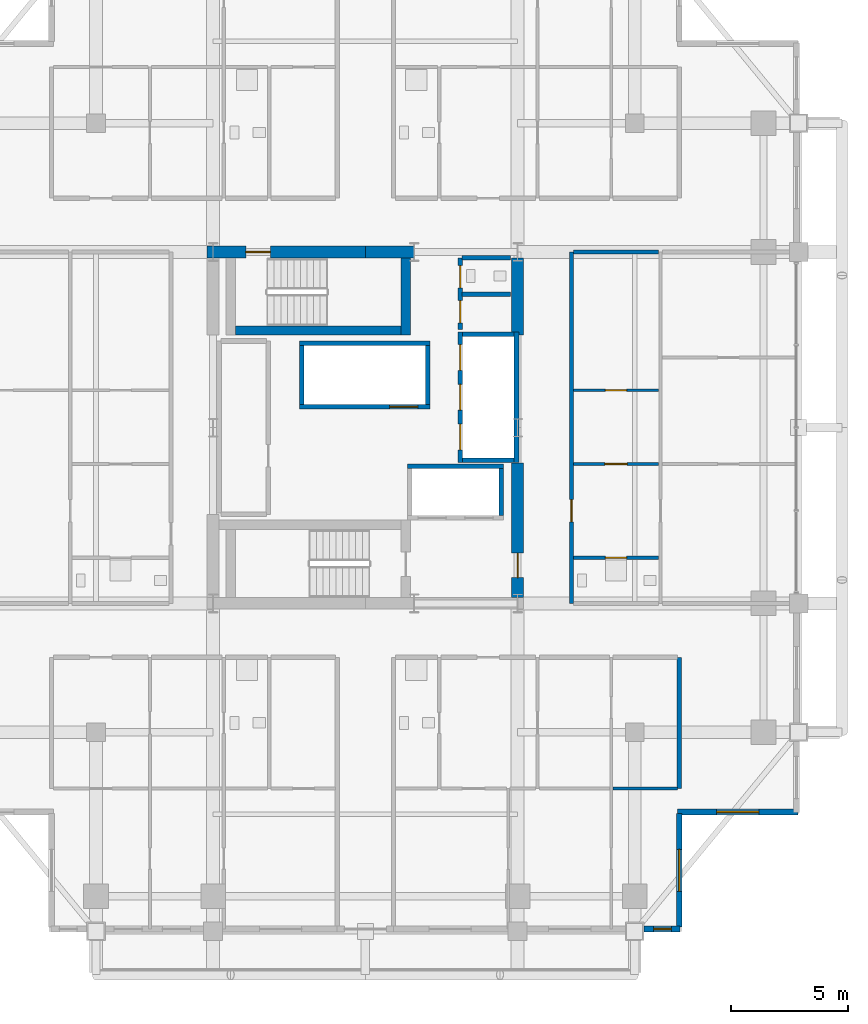
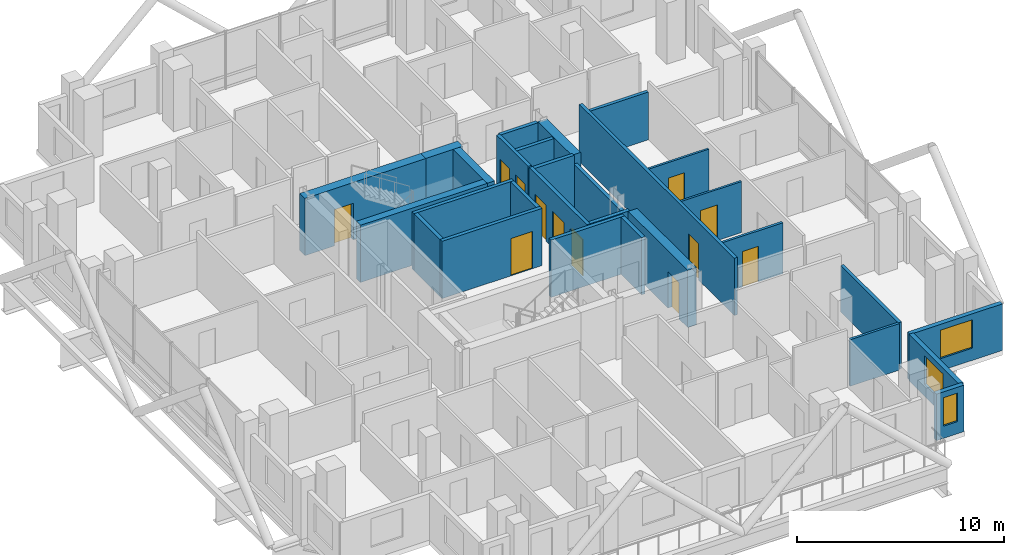
# One storey, part 18 of 23: 29 walls, 12 doors, 3 windows, 15 openings.
"""IFC4 building model written with IfcOpenShell, lengths in metres."""

from ifc_helpers import new_model, si_unit, direction, frame, frame_2d, origin, place, context, subcontext, project, spatial, rectangle, extrude, material, layer, layer_set, type_object, element, fill, save


model = new_model("IFC4")

# Units and contexts
model_context = context("Model", 3, precision=1e-05, world=origin(), true_north=direction((0.0, 1.0)))
body_context = subcontext(model_context, "Body", "Model", "MODEL_VIEW")
ifc_project = project(units=[si_unit("LENGTHUNIT", "METRE"), si_unit("AREAUNIT", "SQUARE_METRE"), si_unit("VOLUMEUNIT", "CUBIC_METRE"), si_unit("PLANEANGLEUNIT", "RADIAN"), si_unit("MASSUNIT", "GRAM", prefix="KILO")], contexts=[model_context])

# Site, building, storey
site_placement = place(None, origin())
site = spatial("IfcSite", under=ifc_project, at=site_placement, CompositionType="ELEMENT")
building_placement = place(site_placement, origin())
building = spatial("IfcBuilding", under=site, at=building_placement, Name="Barlavira Tower and Art Museum", CompositionType="ELEMENT")
storey_placement = place(building_placement, frame((0.0, 0.0, 165.60009765625)))
storey = spatial("IfcBuildingStorey", under=building, at=storey_placement, Name="L42", CompositionType="ELEMENT", Elevation=165.60009765625)

# Wall, opening, door
ifc_material_1 = material(Name="Gypsum acoustic stud partition", Category="gypsum")
ifc_layer_1 = layer(ifc_material_1, 0.1201171875, Name="Gypsum acoustic stud partition")
ifc_layer_set_1 = layer_set([ifc_layer_1], Name="Gypsum acoustic stud partition")
wall_type_1 = type_object("IfcWallType", Name="Apartment Internal Acoustic Partition 120", PredefinedType="PARTITIONING", material=ifc_layer_set_1)
wall_1_placement = place(storey_placement, frame((8.8798828125, -1.550048828125, 0.0), z_axis=(0.0, 0.0, 1.0), x_axis=(1.0, 0.0, 0.0)))
wall_1 = element("IfcWall", 1, at=wall_1_placement, inside=storey, type_object=wall_type_1, Name="L42 Partition Wall 54", PredefinedType="PARTITIONING", context=body_context, shape_type="SweptSolid", body=[
    extrude(rectangle(XDim=3.64013671875, YDim=0.1201171875, at=frame_2d((1.820068359375, 0.0))), origin(), (0.0, 0.0, 1.0), 3.010986328125),
])
opening_1_placement = place(wall_1_placement, frame((1.344970703125, 0.0, 0.0)))
opening_1 = element("IfcOpeningElement", 2, at=opening_1_placement, cuts=wall_1, Name="Opening D-02", PredefinedType="OPENING", context=body_context, shape_type="SweptSolid", body=[
    extrude(rectangle(XDim=0.949951171875, YDim=2.10009765625, at=frame_2d((0.47509765625, 1.050048828125))), frame((0.0, 0.070068359375, 0.0), z_axis=(0.0, -1.0, 0.0), x_axis=(1.0, 0.0, 0.0)), (0.0, 0.0, 1.0), 0.14013671875),
])
ifc_material_2 = material(Name="Engineered coastal hardwood", Category="wood")
door_type_1 = type_object("IfcDoorType", Name="Living and Salon Glazed-Leaf Door 950x2100", OperationType="NOTDEFINED", PredefinedType="DOOR", material=ifc_material_2)
door_1_placement = place(opening_1_placement, origin())
door_1 = element("IfcDoor", 3, at=door_1_placement, inside=storey, type_object=door_type_1, Name="Apartment E1 Kitchen Door", OperationType="SINGLE_SWING_LEFT", OverallHeight=2.10009765625, OverallWidth=0.949951171875, PredefinedType="DOOR", context=body_context, shape_type="SweptSolid", body=[
    extrude(rectangle(XDim=0.949951171875, YDim=2.10009765625, at=frame_2d((0.47509765625, 1.050048828125))), frame((0.0, 0.02490234375, 0.0), z_axis=(0.0, -1.0, 0.0), x_axis=(1.0, 0.0, 0.0)), (0.0, 0.0, 1.0), 0.050048828125),
])
fill(opening_1, door_1)

wall_2_placement = place(storey_placement, frame((8.8798828125, 1.60009765625, 0.0), z_axis=(0.0, 0.0, 1.0), x_axis=(1.0, 0.0, 0.0)))
wall_2 = element("IfcWall", 4, at=wall_2_placement, inside=storey, type_object=wall_type_1, Name="L42 Partition Wall 58", PredefinedType="PARTITIONING", context=body_context, shape_type="SweptSolid", body=[
    extrude(rectangle(XDim=3.64013671875, YDim=0.1201171875, at=frame_2d((1.820068359375, 0.0))), origin(), (0.0, 0.0, 1.0), 3.010986328125),
])
opening_2_placement = place(wall_2_placement, frame((1.3701171875, 0.0, 0.0)))
opening_2 = element("IfcOpeningElement", 5, at=opening_2_placement, cuts=wall_2, Name="Opening D-01", PredefinedType="OPENING", context=body_context, shape_type="SweptSolid", body=[
    extrude(rectangle(XDim=0.89990234375, YDim=2.10009765625, at=frame_2d((0.449951171875, 1.050048828125))), frame((0.0, 0.070068359375, 0.0), z_axis=(0.0, -1.0, 0.0), x_axis=(1.0, 0.0, 0.0)), (0.0, 0.0, 1.0), 0.14013671875),
])
door_type_2 = type_object("IfcDoorType", Name="Internal Bedroom Timber Flush Door 900x2100", OperationType="NOTDEFINED", PredefinedType="DOOR", material=ifc_material_2)
door_2_placement = place(opening_2_placement, origin())
door_2 = element("IfcDoor", 6, at=door_2_placement, inside=storey, type_object=door_type_2, Name="Apartment E1 Walk-In Dressing Room Door", OperationType="SINGLE_SWING_RIGHT", OverallHeight=2.10009765625, OverallWidth=0.89990234375, PredefinedType="DOOR", context=body_context, shape_type="SweptSolid", body=[
    extrude(rectangle(XDim=0.89990234375, YDim=2.10009765625, at=frame_2d((0.449951171875, 1.050048828125))), frame((0.0, 0.02490234375, 0.0), z_axis=(0.0, -1.0, 0.0), x_axis=(1.0, 0.0, 0.0)), (0.0, 0.0, 1.0), 0.050048828125),
])
fill(opening_2, door_2)

ifc_material_3 = material(Name="Concrete C60", Category="concrete")
ifc_layer_2 = layer(ifc_material_3, 0.5, Name="Concrete C60")
ifc_layer_set_2 = layer_set([ifc_layer_2], Name="Concrete C60")
wall_type_2 = type_object("IfcWallType", Name="Core Structural Shear Wall 500 Concrete C60", PredefinedType="SHEAR", material=ifc_layer_set_2)
wall_3_placement = place(storey_placement, frame((-6.75, 7.5, 0.0), z_axis=(0.0, 0.0, 1.0), x_axis=(1.0, 0.0, 0.0)))
wall_3 = element("IfcWall", 7, at=wall_3_placement, inside=storey, type_object=wall_type_2, Name="L42 Core Shear Wall CS-NW", PredefinedType="SHEAR", context=body_context, shape_type="SweptSolid", body=[
    extrude(rectangle(XDim=6.75, YDim=0.5, at=frame_2d((3.375, 0.0))), origin(), (0.0, 0.0, 1.0), 3.3798828125),
])
opening_3_placement = place(wall_3_placement, frame((1.64990234375, 0.0, 0.0)))
opening_3 = element("IfcOpeningElement", 8, at=opening_3_placement, cuts=wall_3, Name="Opening FD-90", PredefinedType="OPENING", context=body_context, shape_type="SweptSolid", body=[
    extrude(rectangle(XDim=1.050048828125, YDim=2.14990234375, at=frame_2d((0.52490234375, 1.074951171875))), frame((0.0, 0.260009765625, 0.0), z_axis=(0.0, -1.0, 0.0), x_axis=(1.0, 0.0, 0.0)), (0.0, 0.0, 1.0), 0.52001953125),
])
ifc_material_4 = material(Name="Brushed stainless steel", Category="steel")
door_type_3 = type_object("IfcDoorType", Name="Stair and Refuge Fire Door 1050x2150 FD90S", OperationType="NOTDEFINED", PredefinedType="DOOR", material=ifc_material_4)
door_3_placement = place(opening_3_placement, origin())
door_3 = element("IfcDoor", 9, at=door_3_placement, inside=storey, type_object=door_type_3, Name="L42 Stair ST-T2 Fire Door", OperationType="SINGLE_SWING_LEFT", OverallHeight=2.14990234375, OverallWidth=1.050048828125, PredefinedType="DOOR", context=body_context, shape_type="SweptSolid", body=[
    extrude(rectangle(XDim=1.050048828125, YDim=2.14990234375, at=frame_2d((0.52490234375, 1.074951171875))), frame((0.0, 0.02490234375, 0.0), z_axis=(0.0, -1.0, 0.0), x_axis=(1.0, 0.0, 0.0)), (0.0, 0.0, 1.0), 0.050048828125),
])
fill(opening_3, door_3)

# Wall
wall_4_placement = place(storey_placement, frame((0.0, 7.5, 0.0), z_axis=(0.0, 0.0, 1.0), x_axis=(1.0, 0.0, 0.0)))
element("IfcWall", 10, at=wall_4_placement, inside=storey, type_object=wall_type_2, Name="L42 Core Shear Wall CS-EN", PredefinedType="SHEAR", context=body_context, shape_type="SweptSolid", body=[
    extrude(rectangle(XDim=2.080078125, YDim=0.5, at=frame_2d((1.0400390625, 0.0))), origin(), (0.0, 0.0, 1.0), 3.3798828125),
])

# Wall, opening, door
wall_5_placement = place(storey_placement, frame((6.5, -7.25, 0.0), z_axis=(0.0, 0.0, 1.0), x_axis=(0.0, 1.0, 0.0)))
wall_5 = element("IfcWall", 11, at=wall_5_placement, inside=storey, type_object=wall_type_2, Name="L42 Core Shear Wall CS-E1", PredefinedType="SHEAR", context=body_context, shape_type="SweptSolid", body=[
    extrude(rectangle(XDim=5.75, YDim=0.5, at=frame_2d((2.875, 0.0))), origin(), (0.0, 0.0, 1.0), 3.3798828125),
])
opening_4_placement = place(wall_5_placement, frame((0.85009765625, 0.0, 0.0)))
opening_4 = element("IfcOpeningElement", 12, at=opening_4_placement, cuts=wall_5, Name="Opening FD-90", PredefinedType="OPENING", context=body_context, shape_type="SweptSolid", body=[
    extrude(rectangle(XDim=1.050048828125, YDim=2.14990234375, at=frame_2d((0.52490234375, 1.074951171875))), frame((0.0, 0.260009765625, 0.0), z_axis=(0.0, -1.0, 0.0), x_axis=(1.0, 0.0, 0.0)), (0.0, 0.0, 1.0), 0.52001953125),
])
door_4_placement = place(opening_4_placement, origin())
door_4 = element("IfcDoor", 13, at=door_4_placement, inside=storey, type_object=door_type_3, Name="L42 Firefighting Lobby Entry Fire Door", OperationType="SINGLE_SWING_LEFT", OverallHeight=2.14990234375, OverallWidth=1.050048828125, PredefinedType="DOOR", context=body_context, shape_type="SweptSolid", body=[
    extrude(rectangle(XDim=1.050048828125, YDim=2.14990234375, at=frame_2d((0.52490234375, 1.074951171875))), frame((0.0, 0.02490234375, 0.0), z_axis=(0.0, -1.0, 0.0), x_axis=(1.0, 0.0, 0.0)), (0.0, 0.0, 1.0), 0.050048828125),
])
fill(opening_4, door_4)

# Wall
wall_6_placement = place(storey_placement, frame((6.5, 3.949951171875, 0.0), z_axis=(0.0, 0.0, 1.0), x_axis=(0.0, 1.0, 0.0)))
element("IfcWall", 14, at=wall_6_placement, inside=storey, type_object=wall_type_2, Name="L42 Core Shear Wall CS-E2", PredefinedType="SHEAR", context=body_context, shape_type="SweptSolid", body=[
    extrude(rectangle(XDim=3.300048828125, YDim=0.5, at=frame_2d((1.64990234375, 0.0))), origin(), (0.0, 0.0, 1.0), 3.3798828125),
])

# Wall, openings, doors
ifc_material_5 = material(Name="Autoclaved aerated concrete masonry", Category="masonry")
ifc_layer_3 = layer(ifc_material_5, 0.199951171875, Name="Autoclaved aerated concrete masonry")
ifc_layer_set_3 = layer_set([ifc_layer_3], Name="Autoclaved aerated concrete masonry")
wall_type_3 = type_object("IfcWallType", Name="Fire Compartment and Shaft Wall 200", PredefinedType="SOLIDWALL", material=ifc_layer_set_3)
wall_7_placement = place(storey_placement, frame((4.050048828125, -1.489990234375, 0.0), z_axis=(0.0, 0.0, 1.0), x_axis=(0.0, 1.0, 0.0)))
wall_7 = element("IfcWall", 15, at=wall_7_placement, inside=storey, type_object=wall_type_3, Name="L42 Mid-Rise Lift Front Shaft Wall", PredefinedType="SOLIDWALL", context=body_context, shape_type="SweptSolid", body=[
    extrude(rectangle(XDim=5.580078125, YDim=0.199951171875, at=frame_2d((2.7900390625, 0.0))), origin(), (0.0, 0.0, 1.0), 3.3798828125),
])
opening_5_placement = place(wall_7_placement, frame((0.5400390625, 0.0, 0.0)))
opening_5 = element("IfcOpeningElement", 16, at=opening_5_placement, cuts=wall_7, Name="Opening LD-P", PredefinedType="OPENING", context=body_context, shape_type="SweptSolid", body=[
    extrude(rectangle(XDim=1.10009765625, YDim=2.14990234375, at=frame_2d((0.550048828125, 1.074951171875))), frame((0.0, 0.10986328125, 0.0), z_axis=(0.0, -1.0, 0.0), x_axis=(1.0, 0.0, 0.0)), (0.0, 0.0, 1.0), 0.219970703125),
])
opening_6_placement = place(wall_7_placement, frame((2.239990234375, 0.0, 0.0)))
opening_6 = element("IfcOpeningElement", 17, at=opening_6_placement, cuts=wall_7, Name="Opening LD-P", PredefinedType="OPENING", context=body_context, shape_type="SweptSolid", body=[
    extrude(rectangle(XDim=1.10009765625, YDim=2.14990234375, at=frame_2d((0.550048828125, 1.074951171875))), frame((0.0, 0.10986328125, 0.0), z_axis=(0.0, -1.0, 0.0), x_axis=(1.0, 0.0, 0.0)), (0.0, 0.0, 1.0), 0.219970703125),
])
opening_7_placement = place(wall_7_placement, frame((3.93994140625, 0.0, 0.0)))
opening_7 = element("IfcOpeningElement", 18, at=opening_7_placement, cuts=wall_7, Name="Opening LD-P", PredefinedType="OPENING", context=body_context, shape_type="SweptSolid", body=[
    extrude(rectangle(XDim=1.10009765625, YDim=2.14990234375, at=frame_2d((0.550048828125, 1.074951171875))), frame((0.0, 0.10986328125, 0.0), z_axis=(0.0, -1.0, 0.0), x_axis=(1.0, 0.0, 0.0)), (0.0, 0.0, 1.0), 0.219970703125),
])
door_type_4 = type_object("IfcDoorType", Name="Passenger Lift Sliding Landing Door 1100x2150 FD60", OperationType="NOTDEFINED", PredefinedType="DOOR", material=ifc_material_4)
door_5_placement = place(opening_5_placement, origin())
door_5 = element("IfcDoor", 19, at=door_5_placement, inside=storey, type_object=door_type_4, Name="L42 Lift PM1 Sliding Landing Door", OperationType="DOUBLE_DOOR_SLIDING", OverallHeight=2.14990234375, OverallWidth=1.10009765625, PredefinedType="DOOR", context=body_context, shape_type="SweptSolid", body=[
    extrude(rectangle(XDim=1.10009765625, YDim=2.14990234375, at=frame_2d((0.550048828125, 1.074951171875))), frame((0.0, 0.02490234375, 0.0), z_axis=(0.0, -1.0, 0.0), x_axis=(1.0, 0.0, 0.0)), (0.0, 0.0, 1.0), 0.050048828125),
])
fill(opening_5, door_5)
door_6_placement = place(opening_6_placement, origin())
door_6 = element("IfcDoor", 20, at=door_6_placement, inside=storey, type_object=door_type_4, Name="L42 Lift PM2 Sliding Landing Door", OperationType="DOUBLE_DOOR_SLIDING", OverallHeight=2.14990234375, OverallWidth=1.10009765625, PredefinedType="DOOR", context=body_context, shape_type="SweptSolid", body=[
    extrude(rectangle(XDim=1.10009765625, YDim=2.14990234375, at=frame_2d((0.550048828125, 1.074951171875))), frame((0.0, 0.02490234375, 0.0), z_axis=(0.0, -1.0, 0.0), x_axis=(1.0, 0.0, 0.0)), (0.0, 0.0, 1.0), 0.050048828125),
])
fill(opening_6, door_6)
door_7_placement = place(opening_7_placement, origin())
door_7 = element("IfcDoor", 21, at=door_7_placement, inside=storey, type_object=door_type_4, Name="L42 Lift PM3 Sliding Landing Door", OperationType="DOUBLE_DOOR_SLIDING", OverallHeight=2.14990234375, OverallWidth=1.10009765625, PredefinedType="DOOR", context=body_context, shape_type="SweptSolid", body=[
    extrude(rectangle(XDim=1.10009765625, YDim=2.14990234375, at=frame_2d((0.550048828125, 1.074951171875))), frame((0.0, 0.02490234375, 0.0), z_axis=(0.0, -1.0, 0.0), x_axis=(1.0, 0.0, 0.0)), (0.0, 0.0, 1.0), 0.050048828125),
])
fill(opening_7, door_7)

# Walls
wall_8_placement = place(storey_placement, frame((6.449951171875, -1.489990234375, 0.0), z_axis=(0.0, 0.0, 1.0), x_axis=(0.0, 1.0, 0.0)))
element("IfcWall", 22, at=wall_8_placement, inside=storey, type_object=wall_type_3, Name="L42 Mid-Rise Lift Back Shaft Wall", PredefinedType="SOLIDWALL", context=body_context, shape_type="SweptSolid", body=[
    extrude(rectangle(XDim=5.580078125, YDim=0.199951171875, at=frame_2d((2.7900390625, 0.0))), origin(), (0.0, 0.0, 1.0), 2.825927734375),
])
for number, where, z_axis, x_axis, name in (
    (23, (4.14990234375, -1.389892578125, 0.0), (0.0, 0.0, 1.0), (1.0, 0.0, 0.0), "L42 Mid-Rise Lift South Shaft Wall"),
    (24, (4.14990234375, 3.989990234375, 0.0), (0.0, 0.0, 1.0), (1.0, 0.0, 0.0), "L42 Mid-Rise Lift North Shaft Wall"),
):
    element("IfcWall", number, at=place(storey_placement, frame(where, z_axis=z_axis, x_axis=x_axis)), inside=storey, type_object=wall_type_3, Name=name, PredefinedType="SOLIDWALL", context=body_context, shape_type="SweptSolid", body=[
        extrude(rectangle(XDim=2.2001953125, YDim=0.199951171875, at=frame_2d((1.10009765625, 0.0))), origin(), (0.0, 0.0, 1.0), 3.3798828125),
    ])

# Wall, opening, door
wall_9_placement = place(storey_placement, frame((-2.820068359375, 0.89990234375, 0.0), z_axis=(0.0, 0.0, 1.0), x_axis=(1.0, 0.0, 0.0)))
wall_9 = element("IfcWall", 25, at=wall_9_placement, inside=storey, type_object=wall_type_3, Name="L42 High-Rise & Service Lift Front Wall", PredefinedType="SOLIDWALL", context=body_context, shape_type="SweptSolid", body=[
    extrude(rectangle(XDim=5.580078125, YDim=0.199951171875, at=frame_2d((2.7900390625, 0.0))), origin(), (0.0, 0.0, 1.0), 3.3798828125),
])
opening_8_placement = place(wall_9_placement, frame((3.860107421875, 0.0, 0.0)))
opening_8 = element("IfcOpeningElement", 26, at=opening_8_placement, cuts=wall_9, Name="Opening LD-F", PredefinedType="OPENING", context=body_context, shape_type="SweptSolid", body=[
    extrude(rectangle(XDim=1.199951171875, YDim=2.199951171875, at=frame_2d((0.60009765625, 1.10009765625))), frame((0.0, 0.10986328125, 0.0), z_axis=(0.0, -1.0, 0.0), x_axis=(1.0, 0.0, 0.0)), (0.0, 0.0, 1.0), 0.219970703125),
])
door_type_5 = type_object("IfcDoorType", Name="Firefighting and Service Lift Sliding Door 1200x2200 FD120", OperationType="NOTDEFINED", PredefinedType="DOOR", material=ifc_material_4)
door_8_placement = place(opening_8_placement, origin())
door_8 = element("IfcDoor", 27, at=door_8_placement, inside=storey, type_object=door_type_5, Name="L42 Stretcher Service Lift SL1 Sliding Door", OperationType="DOUBLE_DOOR_SLIDING", OverallHeight=2.199951171875, OverallWidth=1.199951171875, PredefinedType="DOOR", context=body_context, shape_type="SweptSolid", body=[
    extrude(rectangle(XDim=1.199951171875, YDim=2.199951171875, at=frame_2d((0.60009765625, 1.10009765625))), frame((0.0, 0.02490234375, 0.0), z_axis=(0.0, -1.0, 0.0), x_axis=(1.0, 0.0, 0.0)), (0.0, 0.0, 1.0), 0.050048828125),
])
fill(opening_8, door_8)

# Walls
wall_10_placement = place(storey_placement, frame((-2.820068359375, 3.60009765625, 0.0), z_axis=(0.0, 0.0, 1.0), x_axis=(1.0, 0.0, 0.0)))
element("IfcWall", 28, at=wall_10_placement, inside=storey, type_object=wall_type_3, Name="L42 High-Rise & Service Lift Back Wall", PredefinedType="SOLIDWALL", context=body_context, shape_type="SweptSolid", body=[
    extrude(rectangle(XDim=5.580078125, YDim=0.199951171875, at=frame_2d((2.7900390625, 0.0))), origin(), (0.0, 0.0, 1.0), 3.3798828125),
])
for number, where, z_axis, x_axis, name in (
    (29, (-2.719970703125, 1.0, 0.0), (0.0, 0.0, 1.0), (0.0, 1.0, 0.0), "L42 High-Rise & Service Lift West Wall"),
    (30, (2.659912109375, 1.0, 0.0), (0.0, 0.0, 1.0), (0.0, 1.0, 0.0), "L42 High-Rise & Service Lift East Wall"),
):
    element("IfcWall", number, at=place(storey_placement, frame(where, z_axis=z_axis, x_axis=x_axis)), inside=storey, type_object=wall_type_3, Name=name, PredefinedType="SOLIDWALL", context=body_context, shape_type="SweptSolid", body=[
        extrude(rectangle(XDim=2.5, YDim=0.199951171875, at=frame_2d((1.25, 0.0))), origin(), (0.0, 0.0, 1.0), 3.3798828125),
    ])
wall_11_placement = place(storey_placement, frame((1.800048828125, -1.64990234375, 0.0), z_axis=(0.0, 0.0, 1.0), x_axis=(1.0, 0.0, 0.0)))
element("IfcWall", 31, at=wall_11_placement, inside=storey, type_object=wall_type_3, Name="L42 Firefighting Lift Back Shaft Wall", PredefinedType="SOLIDWALL", context=body_context, shape_type="SweptSolid", body=[
    extrude(rectangle(XDim=4.099853515625, YDim=0.199951171875, at=frame_2d((2.0498046875, 0.0))), origin(), (0.0, 0.0, 1.0), 3.3798828125),
])
wall_12_placement = place(storey_placement, frame((5.800048828125, -3.75, 0.0), z_axis=(0.0, 0.0, 1.0), x_axis=(0.0, 1.0, 0.0)))
element("IfcWall", 32, at=wall_12_placement, inside=storey, type_object=wall_type_3, Name="L42 Firefighting Lift East Shaft Wall", PredefinedType="SOLIDWALL", context=body_context, shape_type="SweptSolid", body=[
    extrude(rectangle(XDim=2.0, YDim=0.199951171875, at=frame_2d((1.0, 0.0))), origin(), (0.0, 0.0, 1.0), 3.3798828125),
])

# Wall, openings, doors
wall_13_placement = place(storey_placement, frame((4.050048828125, 4.199951171875, 0.0), z_axis=(0.0, 0.0, 1.0), x_axis=(0.0, 1.0, 0.0)))
wall_13 = element("IfcWall", 33, at=wall_13_placement, inside=storey, type_object=wall_type_3, Name="L42 Partition Wall 19", PredefinedType="SOLIDWALL", context=body_context, shape_type="SweptSolid", body=[
    extrude(rectangle(XDim=3.050048828125, YDim=0.199951171875, at=frame_2d((1.52490234375, 0.0))), origin(), (0.0, 0.0, 1.0), 3.3798828125),
])
opening_9_placement = place(wall_13_placement, frame((0.27490234375, 0.0, 0.0)))
opening_9 = element("IfcOpeningElement", 34, at=opening_9_placement, cuts=wall_13, Name="Opening FD-60", PredefinedType="OPENING", context=body_context, shape_type="SweptSolid", body=[
    extrude(rectangle(XDim=0.949951171875, YDim=2.14990234375, at=frame_2d((0.47509765625, 1.074951171875))), frame((0.0, 0.10986328125, 0.0), z_axis=(0.0, -1.0, 0.0), x_axis=(1.0, 0.0, 0.0)), (0.0, 0.0, 1.0), 0.219970703125),
])
opening_10_placement = place(wall_13_placement, frame((1.77490234375, 0.0, 0.0)))
opening_10 = element("IfcOpeningElement", 35, at=opening_10_placement, cuts=wall_13, Name="Opening FD-60", PredefinedType="OPENING", context=body_context, shape_type="SweptSolid", body=[
    extrude(rectangle(XDim=0.949951171875, YDim=2.14990234375, at=frame_2d((0.47509765625, 1.074951171875))), frame((0.0, 0.10986328125, 0.0), z_axis=(0.0, -1.0, 0.0), x_axis=(1.0, 0.0, 0.0)), (0.0, 0.0, 1.0), 0.219970703125),
])
door_type_6 = type_object("IfcDoorType", Name="Apartment Entrance and Riser Fire Door 950x2150 FD60S", OperationType="NOTDEFINED", PredefinedType="DOOR", material=ifc_material_4)
door_9_placement = place(opening_9_placement, origin())
door_9 = element("IfcDoor", 36, at=door_9_placement, inside=storey, type_object=door_type_6, Name="Electrical Switchgear Room Door", OperationType="SINGLE_SWING_LEFT", OverallHeight=2.14990234375, OverallWidth=0.949951171875, PredefinedType="DOOR", context=body_context, shape_type="SweptSolid", body=[
    extrude(rectangle(XDim=0.949951171875, YDim=2.14990234375, at=frame_2d((0.47509765625, 1.074951171875))), frame((0.0, 0.02490234375, 0.0), z_axis=(0.0, -1.0, 0.0), x_axis=(1.0, 0.0, 0.0)), (0.0, 0.0, 1.0), 0.050048828125),
])
fill(opening_9, door_9)
door_10_placement = place(opening_10_placement, origin())
door_10 = element("IfcDoor", 37, at=door_10_placement, inside=storey, type_object=door_type_6, Name="Core Staff Toilet Door", OperationType="SINGLE_SWING_RIGHT", OverallHeight=2.14990234375, OverallWidth=0.949951171875, PredefinedType="DOOR", context=body_context, shape_type="SweptSolid", body=[
    extrude(rectangle(XDim=0.949951171875, YDim=2.14990234375, at=frame_2d((0.47509765625, 1.074951171875))), frame((0.0, 0.02490234375, 0.0), z_axis=(0.0, -1.0, 0.0), x_axis=(1.0, 0.0, 0.0)), (0.0, 0.0, 1.0), 0.050048828125),
])
fill(opening_10, door_10)

# Walls
for number, where, z_axis, x_axis, name in (
    (38, (4.1298828125, 5.699951171875, 0.0), (0.0, 0.0, 1.0), (1.0, 0.0, 0.0), "L42 Partition Wall 61"),
    (39, (4.1298828125, 7.25, 0.0), (0.0, 0.0, 1.0), (1.0, 0.0, 0.0), "L42 Partition Wall 62"),
):
    element("IfcWall", number, at=place(storey_placement, frame(where, z_axis=z_axis, x_axis=x_axis)), inside=storey, type_object=wall_type_3, Name=name, PredefinedType="SOLIDWALL", context=body_context, shape_type="SweptSolid", body=[
        extrude(rectangle(XDim=2.070068359375, YDim=0.199951171875, at=frame_2d((1.03515625, 0.0))), origin(), (0.0, 0.0, 1.0), 3.3798828125),
    ])

# Wall, opening, door
ifc_layer_4 = layer(ifc_material_1, 0.179931640625, Name="Gypsum acoustic stud partition")
ifc_layer_set_4 = layer_set([ifc_layer_4], Name="Gypsum acoustic stud partition")
wall_type_4 = type_object("IfcWallType", Name="Inter-Tenancy Party Partition Wall 180", PredefinedType="PARTITIONING", material=ifc_layer_set_4)
wall_14_placement = place(storey_placement, frame((8.800048828125, -7.5, 0.0), z_axis=(0.0, 0.0, 1.0), x_axis=(0.0, 1.0, 0.0)))
wall_14 = element("IfcWall", 40, at=wall_14_placement, inside=storey, type_object=wall_type_4, Name="L42 Partition Wall 23", PredefinedType="PARTITIONING", context=body_context, shape_type="SweptSolid", body=[
    extrude(rectangle(XDim=15.0, YDim=0.179931640625, at=frame_2d((7.5, 0.0))), origin(), (0.0, 0.0, 1.0), 3.3798828125),
])
opening_11_placement = place(wall_14_placement, frame((3.47509765625, 0.0, 0.0)))
opening_11 = element("IfcOpeningElement", 41, at=opening_11_placement, cuts=wall_14, Name="Opening FD-60", PredefinedType="OPENING", context=body_context, shape_type="SweptSolid", body=[
    extrude(rectangle(XDim=0.949951171875, YDim=2.14990234375, at=frame_2d((0.47509765625, 1.074951171875))), frame((0.0, 0.10009765625, 0.0), z_axis=(0.0, -1.0, 0.0), x_axis=(1.0, 0.0, 0.0)), (0.0, 0.0, 1.0), 0.199951171875),
])
door_11_placement = place(opening_11_placement, origin())
door_11 = element("IfcDoor", 42, at=door_11_placement, inside=storey, type_object=door_type_6, Name="Apartment Entrance Hall E1 Door", OperationType="SINGLE_SWING_RIGHT", OverallHeight=2.14990234375, OverallWidth=0.949951171875, PredefinedType="DOOR", context=body_context, shape_type="SweptSolid", body=[
    extrude(rectangle(XDim=0.949951171875, YDim=2.14990234375, at=frame_2d((0.47509765625, 1.074951171875))), frame((0.0, 0.02490234375, 0.0), z_axis=(0.0, -1.0, 0.0), x_axis=(1.0, 0.0, 0.0)), (0.0, 0.0, 1.0), 0.050048828125),
])
fill(opening_11, door_11)

# Walls
wall_15_placement = place(storey_placement, frame((13.39990234375, -15.39990234375, 0.0), z_axis=(0.0, 0.0, 1.0), x_axis=(0.0, 1.0, 0.0)))
element("IfcWall", 43, at=wall_15_placement, inside=storey, type_object=wall_type_4, Name="L42 Partition Wall 27", PredefinedType="PARTITIONING", context=body_context, shape_type="SweptSolid", body=[
    extrude(rectangle(XDim=5.599853515625, YDim=0.179931640625, at=frame_2d((2.7998046875, 0.0))), origin(), (0.0, 0.0, 1.0), 2.747802734375),
])
wall_16_placement = place(storey_placement, frame((8.8798828125, 7.5, 0.0), z_axis=(0.0, 0.0, 1.0), x_axis=(1.0, 0.0, 0.0)))
element("IfcWall", 44, at=wall_16_placement, inside=storey, type_object=wall_type_4, Name="L42 Partition Wall 65", PredefinedType="PARTITIONING", context=body_context, shape_type="SweptSolid", body=[
    extrude(rectangle(XDim=3.64013671875, YDim=0.179931640625, at=frame_2d((1.820068359375, 0.0))), origin(), (0.0, 0.0, 1.0), 2.825927734375),
])
ifc_layer_5 = layer(ifc_material_1, 0.139892578125, Name="Gypsum acoustic stud partition")
ifc_layer_set_5 = layer_set([ifc_layer_5], Name="Gypsum acoustic stud partition")
wall_type_5 = type_object("IfcWallType", Name="Moisture-Resistant Bathroom Partition 140", PredefinedType="PARTITIONING", material=ifc_layer_set_5)
wall_17_placement = place(storey_placement, frame((10.580078125, -15.39990234375, 0.0), z_axis=(0.0, 0.0, 1.0), x_axis=(1.0, 0.0, 0.0)))
element("IfcWall", 45, at=wall_17_placement, inside=storey, type_object=wall_type_5, Name="L42 Partition Wall 37", PredefinedType="PARTITIONING", context=body_context, shape_type="SweptSolid", body=[
    extrude(rectangle(XDim=2.739990234375, YDim=0.139892578125, at=frame_2d((1.3701171875, 0.0))), origin(), (0.0, 0.0, 1.0), 2.747802734375),
])

# Wall, opening, door
wall_18_placement = place(storey_placement, frame((8.8798828125, -5.550048828125, 0.0), z_axis=(0.0, 0.0, 1.0), x_axis=(1.0, 0.0, 0.0)))
wall_18 = element("IfcWall", 46, at=wall_18_placement, inside=storey, type_object=wall_type_5, Name="L42 Partition Wall 51", PredefinedType="PARTITIONING", context=body_context, shape_type="SweptSolid", body=[
    extrude(rectangle(XDim=3.64013671875, YDim=0.139892578125, at=frame_2d((1.820068359375, 0.0))), origin(), (0.0, 0.0, 1.0), 3.010986328125),
])
opening_12_placement = place(wall_18_placement, frame((1.3701171875, 0.0, 0.0)))
opening_12 = element("IfcOpeningElement", 47, at=opening_12_placement, cuts=wall_18, Name="Opening D-WC", PredefinedType="OPENING", context=body_context, shape_type="SweptSolid", body=[
    extrude(rectangle(XDim=0.89990234375, YDim=2.10009765625, at=frame_2d((0.449951171875, 1.050048828125))), frame((0.0, 0.080078125, 0.0), z_axis=(0.0, -1.0, 0.0), x_axis=(1.0, 0.0, 0.0)), (0.0, 0.0, 1.0), 0.159912109375),
])
door_type_7 = type_object("IfcDoorType", Name="Accessible Bathroom Flush Door 900x2100", OperationType="NOTDEFINED", PredefinedType="DOOR", material=ifc_material_2)
door_12_placement = place(opening_12_placement, origin())
door_12 = element("IfcDoor", 48, at=door_12_placement, inside=storey, type_object=door_type_7, Name="Apartment E1 Hall Bathroom Door", OperationType="SINGLE_SWING_LEFT", OverallHeight=2.10009765625, OverallWidth=0.89990234375, PredefinedType="DOOR", context=body_context, shape_type="SweptSolid", body=[
    extrude(rectangle(XDim=0.89990234375, YDim=2.10009765625, at=frame_2d((0.449951171875, 1.050048828125))), frame((0.0, 0.02490234375, 0.0), z_axis=(0.0, -1.0, 0.0), x_axis=(1.0, 0.0, 0.0)), (0.0, 0.0, 1.0), 0.050048828125),
])
fill(opening_12, door_12)

# Wall, opening, window
ifc_material_6 = material(Name="Precast concrete C40", Category="concrete")
ifc_layer_6 = layer(ifc_material_6, 0.25, Name="Precast concrete C40")
ifc_layer_set_6 = layer_set([ifc_layer_6], Name="Precast concrete C40")
wall_type_6 = type_object("IfcWallType", Name="Notched Corner Spandrel Wall 250 Precast Concrete C40", PredefinedType="SOLIDWALL", material=ifc_layer_set_6)
wall_19_placement = place(storey_placement, frame((11.89501953125, -21.39990234375, 0.0), z_axis=(0.0, 0.0, 1.0), x_axis=(1.0, 0.0, 0.0)))
wall_19 = element("IfcWall", 49, at=wall_19_placement, inside=storey, type_object=wall_type_6, Name="L42 Coastal Facade Pier Wall CW3-L42-SR-3", PredefinedType="SOLIDWALL", context=body_context, shape_type="SweptSolid", body=[
    extrude(rectangle(XDim=1.530029296875, YDim=0.25, at=frame_2d((0.76513671875, 0.0))), origin(), (0.0, 0.0, 1.0), 2.747802734375),
])
opening_13_placement = place(wall_19_placement, frame((0.407958984375, 0.0, 0.719970703125)))
opening_13 = element("IfcOpeningElement", 50, at=opening_13_placement, cuts=wall_19, Name="Opening WN-06", PredefinedType="OPENING", context=body_context, shape_type="SweptSolid", body=[
    extrude(rectangle(XDim=0.760009765625, YDim=1.679931640625, at=frame_2d((0.3798828125, 0.83984375))), frame((0.0, 0.135009765625, 0.0), z_axis=(0.0, -1.0, 0.0), x_axis=(1.0, 0.0, 0.0)), (0.0, 0.0, 1.0), 0.27001953125),
])
ifc_material_7 = material(Name="Low-iron coastal laminated glass", Category="glass")
window_type_1 = type_object("IfcWindowType", Name="Recessed Narrow Pier Window 760x1680", PartitioningType="SINGLE_PANEL", PredefinedType="WINDOW", material=ifc_material_7)
window_1_placement = place(opening_13_placement, origin())
window_1 = element("IfcWindow", 51, at=window_1_placement, inside=storey, type_object=window_type_1, Name="L42 Punched Facade Window EWP-CW3-L42-SR-3-1", OverallHeight=1.679931640625, OverallWidth=0.760009765625, PartitioningType="SINGLE_PANEL", PredefinedType="WINDOW", context=body_context, shape_type="SweptSolid", body=[
    extrude(rectangle(XDim=0.760009765625, YDim=1.679931640625, at=frame_2d((0.3798828125, 0.83984375))), frame((0.0, 0.030029296875, 0.0), z_axis=(0.0, -1.0, 0.0), x_axis=(1.0, 0.0, 0.0)), (0.0, 0.0, 1.0), 0.06005859375),
])
fill(opening_13, window_1)

wall_20_placement = place(storey_placement, frame((13.39990234375, -21.320068359375, 0.0), z_axis=(0.0, 0.0, 1.0), x_axis=(0.0, 1.0, 0.0)))
wall_20 = element("IfcWall", 52, at=wall_20_placement, inside=storey, type_object=wall_type_6, Name="L42 Notch Corner Wall SE1", PredefinedType="SOLIDWALL", context=body_context, shape_type="SweptSolid", body=[
    extrude(rectangle(XDim=4.840087890625, YDim=0.25, at=frame_2d((2.419921875, 0.0))), origin(), (0.0, 0.0, 1.0), 2.747802734375),
])
opening_14_placement = place(wall_20_placement, frame((1.52001953125, 0.0, 0.719970703125)))
opening_14 = element("IfcOpeningElement", 53, at=opening_14_placement, cuts=wall_20, Name="Opening WN-01", PredefinedType="OPENING", context=body_context, shape_type="SweptSolid", body=[
    extrude(rectangle(XDim=1.800048828125, YDim=1.679931640625, at=frame_2d((0.89990234375, 0.83984375))), frame((0.0, 0.135009765625, 0.0), z_axis=(0.0, -1.0, 0.0), x_axis=(1.0, 0.0, 0.0)), (0.0, 0.0, 1.0), 0.27001953125),
])
window_type_2 = type_object("IfcWindowType", Name="Recessed Notch Corner Punch Window 1800x1680", PartitioningType="SINGLE_PANEL", PredefinedType="WINDOW", material=ifc_material_7)
window_2_placement = place(opening_14_placement, origin())
window_2 = element("IfcWindow", 54, at=window_2_placement, inside=storey, type_object=window_type_2, Name="L42 Punched Facade Window EW-NTC-L42-SE1-1", OverallHeight=1.679931640625, OverallWidth=1.800048828125, PartitioningType="SINGLE_PANEL", PredefinedType="WINDOW", context=body_context, shape_type="SweptSolid", body=[
    extrude(rectangle(XDim=1.800048828125, YDim=1.679931640625, at=frame_2d((0.89990234375, 0.83984375))), frame((0.0, 0.030029296875, 0.0), z_axis=(0.0, -1.0, 0.0), x_axis=(1.0, 0.0, 0.0)), (0.0, 0.0, 1.0), 0.06005859375),
])
fill(opening_14, window_2)

wall_21_placement = place(storey_placement, frame((13.320068359375, -16.39990234375, 0.0), z_axis=(0.0, 0.0, 1.0), x_axis=(1.0, 0.0, 0.0)))
wall_21 = element("IfcWall", 55, at=wall_21_placement, inside=storey, type_object=wall_type_6, Name="L42 Notch Corner Wall SE2", PredefinedType="SOLIDWALL", context=body_context, shape_type="SweptSolid", body=[
    extrude(rectangle(XDim=5.159912109375, YDim=0.25, at=frame_2d((2.580078125, 0.0))), origin(), (0.0, 0.0, 1.0), 2.747802734375),
])
opening_15_placement = place(wall_21_placement, frame((1.679931640625, 0.0, 0.719970703125)))
opening_15 = element("IfcOpeningElement", 56, at=opening_15_placement, cuts=wall_21, Name="Opening WN-01", PredefinedType="OPENING", context=body_context, shape_type="SweptSolid", body=[
    extrude(rectangle(XDim=1.800048828125, YDim=1.679931640625, at=frame_2d((0.89990234375, 0.83984375))), frame((0.0, 0.135009765625, 0.0), z_axis=(0.0, -1.0, 0.0), x_axis=(1.0, 0.0, 0.0)), (0.0, 0.0, 1.0), 0.27001953125),
])
window_3_placement = place(opening_15_placement, origin())
window_3 = element("IfcWindow", 57, at=window_3_placement, inside=storey, type_object=window_type_2, Name="L42 Punched Facade Window EW-NTC-L42-SE2-1", OverallHeight=1.679931640625, OverallWidth=1.800048828125, PartitioningType="SINGLE_PANEL", PredefinedType="WINDOW", context=body_context, shape_type="SweptSolid", body=[
    extrude(rectangle(XDim=1.800048828125, YDim=1.679931640625, at=frame_2d((0.89990234375, 0.83984375))), frame((0.0, 0.030029296875, 0.0), z_axis=(0.0, -1.0, 0.0), x_axis=(1.0, 0.0, 0.0)), (0.0, 0.0, 1.0), 0.06005859375),
])
fill(opening_15, window_3)

# Walls
ifc_material_8 = material(Name="Concrete C55", Category="concrete")
ifc_layer_7 = layer(ifc_material_8, 0.39990234375, Name="Concrete C55")
ifc_layer_set_7 = layer_set([ifc_layer_7], Name="Concrete C55")
wall_type_7 = type_object("IfcWallType", Name="Upper Core Shear Wall 400 Concrete C55", PredefinedType="SHEAR", material=ifc_layer_set_7)
wall_22_placement = place(storey_placement, frame((-5.550048828125, 4.14990234375, 0.0), z_axis=(0.0, 0.0, 1.0), x_axis=(1.0, 0.0, 0.0)))
element("IfcWall", 58, at=wall_22_placement, inside=storey, type_object=wall_type_7, Name="L42 ST-T2 South Shaft Wall", PredefinedType="SHEAR", context=body_context, shape_type="SweptSolid", body=[
    extrude(rectangle(XDim=7.080078125, YDim=0.39990234375, at=frame_2d((3.5400390625, 0.0))), origin(), (0.0, 0.0, 1.0), 3.3798828125),
])
wall_23_placement = place(storey_placement, frame((1.72998046875, 3.949951171875, 0.0), z_axis=(0.0, 0.0, 1.0), x_axis=(0.0, 1.0, 0.0)))
element("IfcWall", 59, at=wall_23_placement, inside=storey, type_object=wall_type_7, Name="L42 ST-T2 East Half-Landing Wall", PredefinedType="SHEAR", context=body_context, shape_type="SweptSolid", body=[
    extrude(rectangle(XDim=3.300048828125, YDim=0.39990234375, at=frame_2d((1.64990234375, 0.0))), origin(), (0.0, 0.0, 1.0), 3.3798828125),
])

save(model, "model.ifc")
